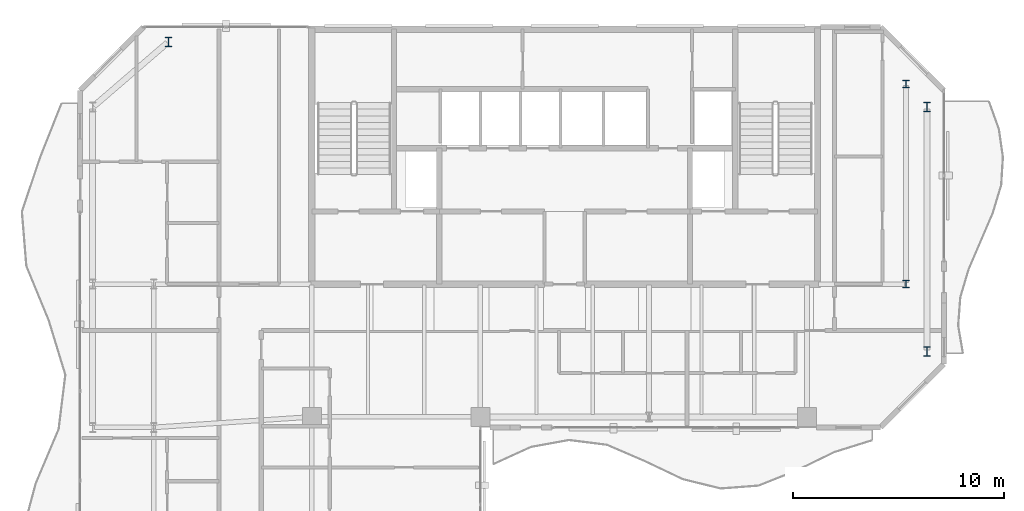
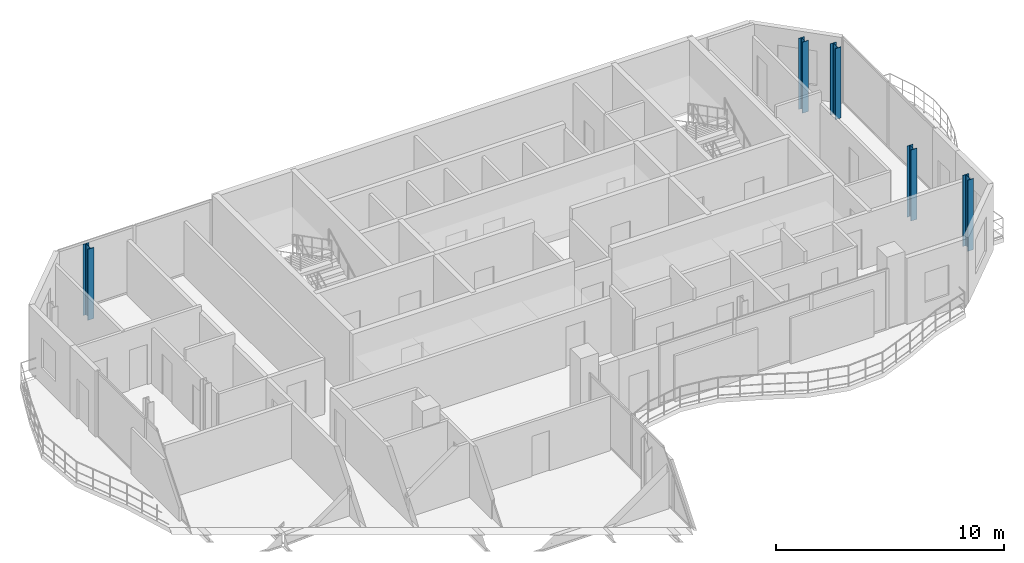
# One storey, part 2 of 22: 5 columns.
"""IFC4 building model written with IfcOpenShell, lengths in metres."""

from ifc_helpers import new_model, si_unit, direction, frame, origin, origin_2d, place, context, subcontext, project, spatial, i_section, extrude, material, material_profile, profile_set, type_object, element, save


model = new_model("IFC4")

# Units and contexts
model_context = context("Model", 3, precision=1e-05, world=origin(), true_north=direction((0.0, 1.0)))
body_context = subcontext(model_context, "Body", "Model", "MODEL_VIEW")
ifc_project = project(units=[si_unit("LENGTHUNIT", "METRE"), si_unit("AREAUNIT", "SQUARE_METRE"), si_unit("VOLUMEUNIT", "CUBIC_METRE"), si_unit("PLANEANGLEUNIT", "RADIAN"), si_unit("MASSUNIT", "GRAM", prefix="KILO")], contexts=[model_context])

# Site, building, storey
site_placement = place(None, origin())
site = spatial("IfcSite", under=ifc_project, at=site_placement, CompositionType="ELEMENT")
building_placement = place(site_placement, origin())
building = spatial("IfcBuilding", under=site, at=building_placement, Name="Catumbela Crestline Tower", CompositionType="ELEMENT")
storey_placement = place(building_placement, frame((0.0, 0.0, 218.4)))
storey = spatial("IfcBuildingStorey", under=building, at=storey_placement, Name="L56", CompositionType="ELEMENT", Elevation=218.4)

# Columns
ifc_material = material(Name="Structural steel S355J2", Category="steel")
ifc_material_profile_1 = material_profile(ifc_material, i_section(OverallWidth=0.3, OverallDepth=0.36, WebThickness=0.0125, FlangeThickness=0.0225, FilletRadius=0.027, at=origin_2d()), Name="HEB 360")
ifc_profile_set_1 = profile_set([ifc_material_profile_1], Name="Structural steel S355J2")
column_type_1 = type_object("IfcColumnType", Name="C-ST-HEB360", PredefinedType="COLUMN", material=ifc_profile_set_1)
for number, where, z_axis, x_axis, name in (
    (1, (44.2, 30.8, 0.0), (0.0, 0.0, 1.0), (1.0, 0.0, 0.0), "L56 Column CT-46-31 (HEB 360)"),
    (2, (44.2, 40.3, 0.0), (0.0, 0.0, 1.0), (1.0, 0.0, 0.0), "L56 Column CT-46-37 (HEB 360)"),
):
    element("IfcColumn", number, at=place(storey_placement, frame(where, z_axis=z_axis, x_axis=x_axis)), inside=storey, type_object=column_type_1, Name=name, PredefinedType="COLUMN", context=body_context, shape_type="SweptSolid", body=[
        extrude(i_section(OverallWidth=0.3, OverallDepth=0.36, WebThickness=0.0125, FlangeThickness=0.0225, FilletRadius=0.027, at=origin_2d()), origin(), (0.0, 0.0, 1.0), 3.8),
    ])
ifc_material_profile_2 = material_profile(ifc_material, i_section(OverallWidth=0.3, OverallDepth=0.45, WebThickness=0.014, FlangeThickness=0.026, FilletRadius=0.027, at=origin_2d()), Name="HEB 450")
ifc_profile_set_2 = profile_set([ifc_material_profile_2], Name="Structural steel S355J2")
column_type_2 = type_object("IfcColumnType", Name="C-ST-HEB450", PredefinedType="COLUMN", material=ifc_profile_set_2)
for number, where, z_axis, x_axis, name in (
    (3, (9.2, 42.3, 0.0), (0.0, 0.0, 1.0), (1.0, 0.0, 0.0), "L56 Column C-08-43 (HEB 450)"),
    (4, (45.2, 27.6, 0.0), (0.0, 0.0, 1.0), (1.0, 0.0, 0.0), "L56 Column C-46-24 (HEB 450)"),
    (5, (45.2, 39.2, 0.0), (0.0, 0.0, 1.0), (1.0, 0.0, 0.0), "L56 Column C-46-43 (HEB 450)"),
):
    element("IfcColumn", number, at=place(storey_placement, frame(where, z_axis=z_axis, x_axis=x_axis)), inside=storey, type_object=column_type_2, Name=name, PredefinedType="COLUMN", context=body_context, shape_type="SweptSolid", body=[
        extrude(i_section(OverallWidth=0.3, OverallDepth=0.45, WebThickness=0.014, FlangeThickness=0.026, FilletRadius=0.027, at=origin_2d()), origin(), (0.0, 0.0, 1.0), 3.8),
    ])

save(model, "model.ifc")
